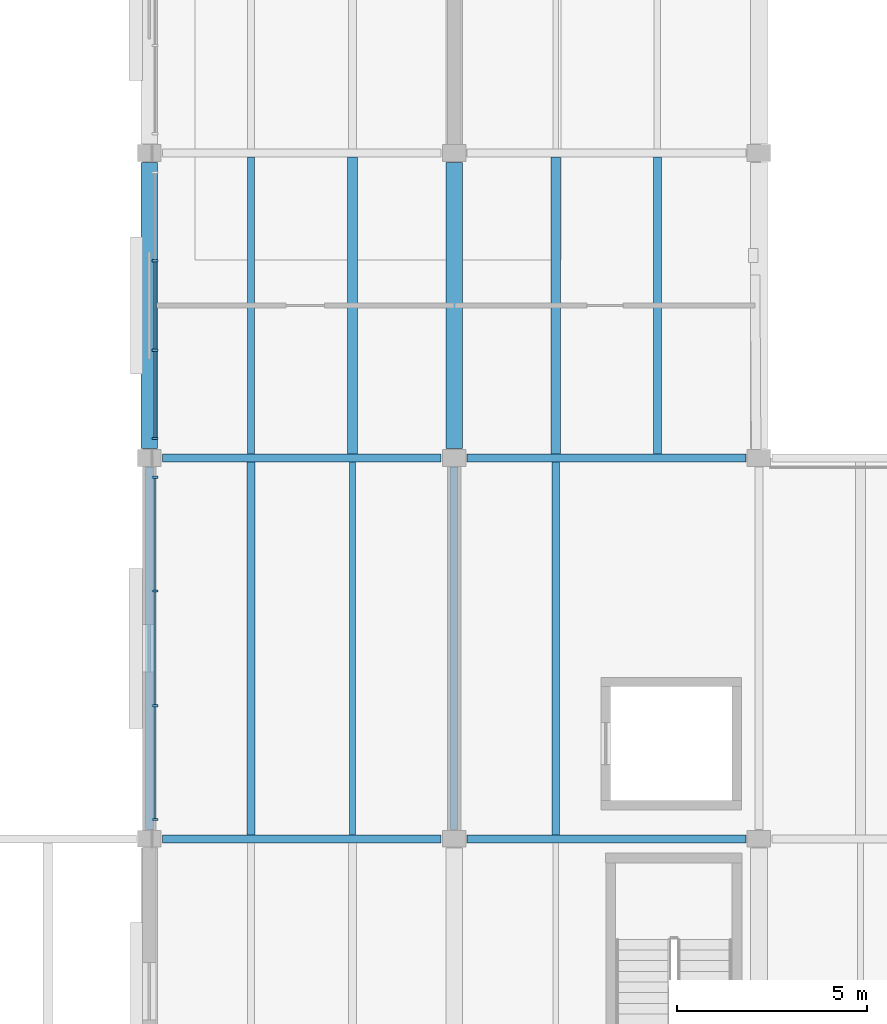
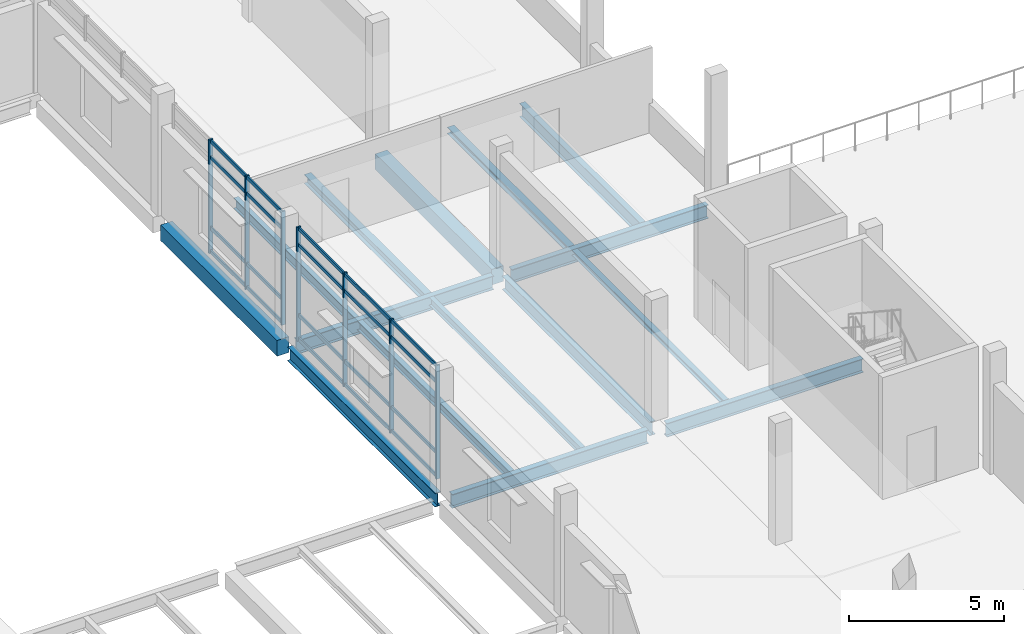
# One storey, part 6 of 52: 27 members, 15 beams, 2 elements without a shape of their own.
"""IFC4 building model written with IfcOpenShell, lengths in metres."""

import ifcopenshell
import ifcopenshell.guid

model = None  # the IFC model being written
_history = None  # IfcOwnerHistory: only IFC2X3 demands one
_inside = {}  # id of a spatial element -> (the spatial element, [elements in it])
_under = {}  # id of a project, library or spatial element -> (it, [spatial elements below it])
_declared = {}  # id of a project -> (the project, [libraries it declares])
_typed = {}  # id of a type object -> (the type object, [elements of that type])
_made_of = {}  # id of a material, layer set ... -> (it, [elements and type objects made of it])


def new_model(schema):
    """Start an empty IFC model of exactly this schema.

    Asked for "IFC4X3", IfcOpenShell would pick the latest addendum, in which some entities
    have other attributes; the version numbers below select the first issue.
    IFC2X3 requires an IfcOwnerHistory on every rooted entity: one is made here for all.
    """
    global model, _history
    if schema == "IFC4X3":
        model = ifcopenshell.file(schema_version=(4, 3, 0, 0))
    else:
        model = ifcopenshell.file(schema=schema)
    _inside.clear()
    _under.clear()
    _declared.clear()
    _typed.clear()
    _made_of.clear()
    _history = None
    if model.schema == "IFC2X3":
        org = make("IfcOrganization", Name="unknown")
        user = make(
            "IfcPersonAndOrganization",
            ThePerson=make("IfcPerson", FamilyName="unknown"),
            TheOrganization=org,
        )
        app = make(
            "IfcApplication",
            ApplicationDeveloper=org,
            Version="unknown",
            ApplicationFullName="unknown",
            ApplicationIdentifier="unknown",
        )
        _history = make(
            "IfcOwnerHistory",
            OwningUser=user,
            OwningApplication=app,
            ChangeAction="ADDED",
            CreationDate=0,
        )
    return model


def make(cls, **values):
    """One entity of the class cls with the attributes given. An attribute that is None is left unset."""
    return model.create_entity(
        cls, **{name: value for name, value in values.items() if value is not None}
    )


def rooted(cls, **values):
    """An entity with a GlobalId (a new one), such as an element, a storey or a relation."""
    return make(cls, GlobalId=ifcopenshell.guid.new(), OwnerHistory=_history, **values)


def si_unit(unit_type, name, prefix=None):
    """IfcSIUnit, for example si_unit("LENGTHUNIT", "METRE", prefix="MILLI")."""
    return make("IfcSIUnit", UnitType=unit_type, Prefix=prefix, Name=name)


def assignment(units):
    """IfcUnitAssignment: the units of a project."""
    return None if units is None else make("IfcUnitAssignment", Units=units)


def point(xyz):
    """IfcCartesianPoint."""
    return None if xyz is None else make("IfcCartesianPoint", Coordinates=xyz)


def direction(xyz):
    """IfcDirection."""
    return None if xyz is None else make("IfcDirection", DirectionRatios=xyz)


def frame(location, z_axis=None, x_axis=None):
    """IfcAxis2Placement3D, a coordinate frame: its origin and axes. An axis left out is left unset."""
    return make(
        "IfcAxis2Placement3D",
        Location=point(location),
        Axis=direction(z_axis),
        RefDirection=direction(x_axis),
    )


def frame_2d(location, x_axis=None):
    """IfcAxis2Placement2D, a coordinate frame in the plane: its origin and x axis."""
    return make(
        "IfcAxis2Placement2D", Location=point(location), RefDirection=direction(x_axis)
    )


def origin():
    """The frame at (0, 0, 0) with its axes left unset."""
    return frame((0.0, 0.0, 0.0))


def origin_2d():
    """The frame at (0, 0) in the plane with its x axis left unset."""
    return frame_2d((0.0, 0.0))


def place(relative_to, where):
    """IfcLocalPlacement: puts the frame where relative to a parent placement (None: the world)."""
    return make(
        "IfcLocalPlacement", PlacementRelTo=relative_to, RelativePlacement=where
    )


def context(
    kind, dimensions, precision=None, world=None, true_north=None, identifier=None
):
    """IfcGeometricRepresentationContext, for example the 3D "Model" context."""
    return make(
        "IfcGeometricRepresentationContext",
        ContextIdentifier=identifier,
        ContextType=kind,
        CoordinateSpaceDimension=dimensions,
        Precision=precision,
        WorldCoordinateSystem=world,
        TrueNorth=true_north,
    )


def subcontext(parent, identifier, kind, view, scale=None):
    """IfcGeometricRepresentationSubContext, for example "Body" below "Model"."""
    return make(
        "IfcGeometricRepresentationSubContext",
        ContextIdentifier=identifier,
        ContextType=kind,
        ParentContext=parent,
        TargetScale=scale,
        TargetView=view,
    )


def project(units=None, contexts=None):
    """IfcProject with its units and contexts."""
    return rooted(
        "IfcProject",
        Name="project",
        RepresentationContexts=contexts,
        UnitsInContext=assignment(units),
    )


def spatial(cls, under=None, at=None, **own):
    """A site, building, storey or space (cls), placed at a placement, below another one or the project."""
    s = rooted(cls, ObjectPlacement=at, **own)
    if under is not None:
        _under.setdefault(under.id(), (under, []))[1].append(s)
    return s


def profile(cls, at=None, kind="AREA", **sizes):
    """A parametric profile (cls). Its sizes go by their IFC names, for example OverallWidth=200.0."""
    return make(cls, ProfileType=kind, Position=at, **sizes)


def rectangle(**sizes):
    """IfcRectangleProfileDef."""
    return profile("IfcRectangleProfileDef", **sizes)


def i_section(**sizes):
    """IfcIShapeProfileDef."""
    return profile("IfcIShapeProfileDef", **sizes)


def extrude(swept, where, along, depth):
    """IfcExtrudedAreaSolid: the profile swept, set in the frame where, extruded along a direction by depth."""
    return make(
        "IfcExtrudedAreaSolid",
        SweptArea=swept,
        Position=where,
        ExtrudedDirection=direction(along),
        Depth=depth,
    )


def shape(context_of_items, identifier, shape_type, items):
    """IfcShapeRepresentation: the items that make up one representation, for example the "Body"."""
    return make(
        "IfcShapeRepresentation",
        ContextOfItems=context_of_items,
        RepresentationIdentifier=identifier,
        RepresentationType=shape_type,
        Items=items,
    )


def material(Name=None, Category=None):
    """IfcMaterial."""
    return make("IfcMaterial", Name=Name, Category=Category)


def material_profile(
    of_material, cross_section, Name=None, Category=None, Priority=None
):
    """IfcMaterialProfile: a cross section and its material."""
    return make(
        "IfcMaterialProfile",
        Name=Name,
        Material=of_material,
        Profile=cross_section,
        Priority=Priority,
        Category=Category,
    )


def profile_set(profiles, Name=None, composite=None):
    """IfcMaterialProfileSet."""
    return make(
        "IfcMaterialProfileSet",
        Name=Name,
        MaterialProfiles=profiles,
        CompositeProfile=composite,
    )


def made_of(thing, what):
    """Note that an element or type object is made of a material, layer set ...; save() writes the relation."""
    if what is not None:
        _made_of.setdefault(what.id(), (what, []))[1].append(thing)
    return thing


def type_object(cls, material=None, **own):
    """A type object (cls), such as IfcWallType, which elements share."""
    return made_of(rooted(cls, **own), material)


def element(
    cls,
    number,
    at=None,
    inside=None,
    cuts=None,
    type_object=None,
    material=None,
    context=None,
    identifier="Body",
    shape_type=None,
    held_by="IfcProductDefinitionShape",
    body=None,
    shapes=None,
    **own,
):
    """One element of the class cls, such as IfcWall. Its Tag is "e" and its number.

    at: its placement. inside: the storey or other place that contains it. cuts: it is an
    opening in that element (IfcRelVoidsElement). A single representation is given by context,
    identifier, shape_type and body (its items); several are given by shapes. held_by: the class
    of the entity that holds the representations. save() writes the other relations.
    """
    e = rooted(cls, Tag="e%d" % number, ObjectPlacement=at, **own)
    if body is not None:
        shapes = [shape(context, identifier, shape_type, body)]
    if shapes is not None:
        e.Representation = make(held_by, Representations=shapes)
    if inside is not None:
        _inside.setdefault(inside.id(), (inside, []))[1].append(e)
    if cuts is not None:
        rooted(
            "IfcRelVoidsElement", RelatingBuildingElement=cuts, RelatedOpeningElement=e
        )
    if type_object is not None:
        _typed.setdefault(type_object.id(), (type_object, []))[1].append(e)
    return made_of(e, material)


def aggregate(whole, parts):
    """IfcRelAggregates: a whole, such as a stair, and the parts it consists of."""
    return rooted("IfcRelAggregates", RelatingObject=whole, RelatedObjects=parts)


def save(model, path):
    """Write the relations noted so far, then the file.

    IfcRelAggregates (storeys below a building ...), IfcRelContainedInSpatialStructure (elements
    in a storey), IfcRelDefinesByType, IfcRelAssociatesMaterial and IfcRelDeclares: one each for
    every whole, place, type object, material and project.
    """
    for whole, parts in _under.values():
        aggregate(whole, parts)
    for where, things in _inside.values():
        rooted(
            "IfcRelContainedInSpatialStructure",
            RelatedElements=things,
            RelatingStructure=where,
        )
    for kind, things in _typed.values():
        rooted("IfcRelDefinesByType", RelatedObjects=things, RelatingType=kind)
    for what, things in _made_of.values():
        rooted("IfcRelAssociatesMaterial", RelatedObjects=things, RelatingMaterial=what)
    for by, libraries in _declared.values():
        rooted("IfcRelDeclares", RelatingContext=by, RelatedDefinitions=libraries)
    model.write(path)


model = new_model("IFC4")

# Units and contexts
model_context = context("Model", 3, precision=1e-05, world=origin(), true_north=direction((0.0, 1.0)))
body_context = subcontext(model_context, "Body", "Model", "MODEL_VIEW")
ifc_project = project(units=[si_unit("LENGTHUNIT", "METRE"), si_unit("AREAUNIT", "SQUARE_METRE"), si_unit("VOLUMEUNIT", "CUBIC_METRE"), si_unit("PLANEANGLEUNIT", "RADIAN"), si_unit("MASSUNIT", "GRAM", prefix="KILO")], contexts=[model_context])

# Site, building, storey
site_placement = place(None, origin())
site = spatial("IfcSite", under=ifc_project, at=site_placement, CompositionType="ELEMENT")
building_placement = place(site_placement, origin())
building = spatial("IfcBuilding", under=site, at=building_placement, Name="Pecanmere Concourse Central Library", CompositionType="ELEMENT")
storey_placement = place(building_placement, frame((0.0, 0.0, 10.5)))
storey = spatial("IfcBuildingStorey", under=building, at=storey_placement, Name="L03", CompositionType="ELEMENT", Elevation=10.5)

# Curtain wall, members
ifc_material_1 = material(Name="Clear anodized aluminium alloy 6063-T6", Category="aluminium")
curtain_wall_type = type_object("IfcCurtainWallType", Name="CW_CLOISTER_GLAZ", PredefinedType="USERDEFINED", material=ifc_material_1)
curtain_wall_1_placement = place(storey_placement, origin())
curtain_wall_1 = element("IfcCurtainWall", 1, at=curtain_wall_1_placement, inside=storey, type_object=curtain_wall_type, Name="Unitised Curtain Wall CW-04 L03-130", ObjectType="UNITISED CURTAIN WALL", PredefinedType="USERDEFINED")
ifc_material_2 = material(Name="Clear anodized aluminium alloy 6063-T6", Category="aluminium")
ifc_material_profile_1 = material_profile(ifc_material_2, rectangle(XDim=0.06005859375, YDim=0.14990234375, at=origin_2d()), Name="AL 60x150")
ifc_profile_set_1 = profile_set([ifc_material_profile_1], Name="Clear anodized aluminium alloy 6063-T6")
member_type_1 = type_object("IfcMemberType", Name="CWM_150x60", PredefinedType="MULLION", material=ifc_profile_set_1)
member_1_placement = place(storey_placement, frame((48.14990234375, 73.489990234375, 0.0), z_axis=(0.0, 0.0, 1.0), x_axis=(0.0, -1.0, 0.0)))
member_1 = element("IfcMember", 2, at=member_1_placement, type_object=member_type_1, Name="CW-04 Mullion 1", PredefinedType="MULLION", context=body_context, shape_type="SweptSolid", body=[
    extrude(rectangle(XDim=0.06005859375, YDim=0.14990234375, at=origin_2d()), origin(), (0.0, 0.0, 1.0), 4.47998046875),
])
member_2_placement = place(storey_placement, frame((48.14990234375, 70.506591796875, 0.0), z_axis=(0.0, 0.0, 1.0), x_axis=(0.0, -1.0, 0.0)))
member_2 = element("IfcMember", 3, at=member_2_placement, type_object=member_type_1, Name="CW-04 Mullion 2", PredefinedType="MULLION", context=body_context, shape_type="SweptSolid", body=[
    extrude(rectangle(XDim=0.06005859375, YDim=0.14990234375, at=origin_2d()), origin(), (0.0, 0.0, 1.0), 4.47998046875),
])
member_3_placement = place(storey_placement, frame((48.14990234375, 67.493408203125, 0.0), z_axis=(0.0, 0.0, 1.0), x_axis=(0.0, -1.0, 0.0)))
member_3 = element("IfcMember", 4, at=member_3_placement, type_object=member_type_1, Name="CW-04 Mullion 3", PredefinedType="MULLION", context=body_context, shape_type="SweptSolid", body=[
    extrude(rectangle(XDim=0.06005859375, YDim=0.14990234375, at=origin_2d()), origin(), (0.0, 0.0, 1.0), 4.47998046875),
])
member_4_placement = place(storey_placement, frame((48.14990234375, 64.510009765625, 0.0), z_axis=(0.0, 0.0, 1.0), x_axis=(0.0, -1.0, 0.0)))
member_4 = element("IfcMember", 5, at=member_4_placement, type_object=member_type_1, Name="CW-04 Mullion 4", PredefinedType="MULLION", context=body_context, shape_type="SweptSolid", body=[
    extrude(rectangle(XDim=0.06005859375, YDim=0.14990234375, at=origin_2d()), origin(), (0.0, 0.0, 1.0), 4.47998046875),
])

curtain_wall_2_placement = place(storey_placement, origin())
curtain_wall_2 = element("IfcCurtainWall", 6, at=curtain_wall_2_placement, inside=storey, type_object=curtain_wall_type, Name="Unitised Curtain Wall CW-04 L03-132", ObjectType="UNITISED CURTAIN WALL", PredefinedType="USERDEFINED")
member_5_placement = place(storey_placement, frame((48.14990234375, 79.17333984375, 0.0), z_axis=(0.0, 0.0, 1.0), x_axis=(0.0, -1.0, 0.0)))
member_5 = element("IfcMember", 7, at=member_5_placement, type_object=member_type_1, Name="CW-04 Mullion 2", PredefinedType="MULLION", context=body_context, shape_type="SweptSolid", body=[
    extrude(rectangle(XDim=0.06005859375, YDim=0.14990234375, at=origin_2d()), origin(), (0.0, 0.0, 1.0), 4.47998046875),
])
member_6_placement = place(storey_placement, frame((48.14990234375, 76.82666015625, 0.0), z_axis=(0.0, 0.0, 1.0), x_axis=(0.0, -1.0, 0.0)))
member_6 = element("IfcMember", 8, at=member_6_placement, type_object=member_type_1, Name="CW-04 Mullion 3", PredefinedType="MULLION", context=body_context, shape_type="SweptSolid", body=[
    extrude(rectangle(XDim=0.06005859375, YDim=0.14990234375, at=origin_2d()), origin(), (0.0, 0.0, 1.0), 4.47998046875),
])
member_7_placement = place(storey_placement, frame((48.14990234375, 74.510009765625, 0.0), z_axis=(0.0, 0.0, 1.0), x_axis=(0.0, -1.0, 0.0)))
member_7 = element("IfcMember", 9, at=member_7_placement, type_object=member_type_1, Name="CW-04 Mullion 4", PredefinedType="MULLION", context=body_context, shape_type="SweptSolid", body=[
    extrude(rectangle(XDim=0.06005859375, YDim=0.14990234375, at=origin_2d()), origin(), (0.0, 0.0, 1.0), 4.47998046875),
])

# Member
ifc_material_3 = material(Name="Clear anodized aluminium alloy 6063-T6", Category="aluminium")
ifc_material_profile_2 = material_profile(ifc_material_3, rectangle(XDim=0.054931640625, YDim=0.139892578125, at=origin_2d()), Name="AL 55x140")
ifc_profile_set_2 = profile_set([ifc_material_profile_2], Name="Clear anodized aluminium alloy 6063-T6")
member_type_2 = type_object("IfcMemberType", Name="CWT_140x55", PredefinedType="USERDEFINED", material=ifc_profile_set_2)
member_8_placement = place(storey_placement, frame((48.14990234375, 73.4599609375, 0.070068359375), z_axis=(0.0, -1.0, 0.0), x_axis=(1.0, 0.0, 0.0)))
member_8 = element("IfcMember", 10, at=member_8_placement, type_object=member_type_2, Name="CW-04 Transom 1.1", ObjectType="TRANSOM", PredefinedType="USERDEFINED", context=body_context, shape_type="SweptSolid", body=[
    extrude(rectangle(XDim=0.054931640625, YDim=0.139892578125, at=origin_2d()), origin(), (0.0, 0.0, 1.0), 2.92333984375),
])

member_9_placement = place(storey_placement, frame((48.14990234375, 73.4599609375, 1.0), z_axis=(0.0, -1.0, 0.0), x_axis=(1.0, 0.0, 0.0)))
member_9 = element("IfcMember", 11, at=member_9_placement, type_object=member_type_2, Name="CW-04 Transom 1.2", ObjectType="TRANSOM", PredefinedType="USERDEFINED", context=body_context, shape_type="SweptSolid", body=[
    extrude(rectangle(XDim=0.054931640625, YDim=0.139892578125, at=origin_2d()), origin(), (0.0, 0.0, 1.0), 2.92333984375),
])

member_10_placement = place(storey_placement, frame((48.14990234375, 73.4599609375, 3.780029296875), z_axis=(0.0, -1.0, 0.0), x_axis=(1.0, 0.0, 0.0)))
member_10 = element("IfcMember", 12, at=member_10_placement, type_object=member_type_2, Name="CW-04 Transom 1.3", ObjectType="TRANSOM", PredefinedType="USERDEFINED", context=body_context, shape_type="SweptSolid", body=[
    extrude(rectangle(XDim=0.054931640625, YDim=0.139892578125, at=origin_2d()), origin(), (0.0, 0.0, 1.0), 2.92333984375),
])

member_11_placement = place(storey_placement, frame((48.14990234375, 73.4599609375, 4.409912109375), z_axis=(0.0, -1.0, 0.0), x_axis=(1.0, 0.0, 0.0)))
member_11 = element("IfcMember", 13, at=member_11_placement, type_object=member_type_2, Name="CW-04 Transom 1.4", ObjectType="TRANSOM", PredefinedType="USERDEFINED", context=body_context, shape_type="SweptSolid", body=[
    extrude(rectangle(XDim=0.054931640625, YDim=0.139892578125, at=origin_2d()), origin(), (0.0, 0.0, 1.0), 2.92333984375),
])

member_12_placement = place(storey_placement, frame((48.14990234375, 70.4765625, 0.070068359375), z_axis=(0.0, -1.0, 0.0), x_axis=(1.0, 0.0, 0.0)))
member_12 = element("IfcMember", 14, at=member_12_placement, type_object=member_type_2, Name="CW-04 Transom 2.1", ObjectType="TRANSOM", PredefinedType="USERDEFINED", context=body_context, shape_type="SweptSolid", body=[
    extrude(rectangle(XDim=0.054931640625, YDim=0.139892578125, at=origin_2d()), origin(), (0.0, 0.0, 1.0), 2.953125),
])

member_13_placement = place(storey_placement, frame((48.14990234375, 70.4765625, 1.0), z_axis=(0.0, -1.0, 0.0), x_axis=(1.0, 0.0, 0.0)))
member_13 = element("IfcMember", 15, at=member_13_placement, type_object=member_type_2, Name="CW-04 Transom 2.2", ObjectType="TRANSOM", PredefinedType="USERDEFINED", context=body_context, shape_type="SweptSolid", body=[
    extrude(rectangle(XDim=0.054931640625, YDim=0.139892578125, at=origin_2d()), origin(), (0.0, 0.0, 1.0), 2.953125),
])

member_14_placement = place(storey_placement, frame((48.14990234375, 70.4765625, 3.780029296875), z_axis=(0.0, -1.0, 0.0), x_axis=(1.0, 0.0, 0.0)))
member_14 = element("IfcMember", 16, at=member_14_placement, type_object=member_type_2, Name="CW-04 Transom 2.3", ObjectType="TRANSOM", PredefinedType="USERDEFINED", context=body_context, shape_type="SweptSolid", body=[
    extrude(rectangle(XDim=0.054931640625, YDim=0.139892578125, at=origin_2d()), origin(), (0.0, 0.0, 1.0), 2.953125),
])

member_15_placement = place(storey_placement, frame((48.14990234375, 70.4765625, 4.409912109375), z_axis=(0.0, -1.0, 0.0), x_axis=(1.0, 0.0, 0.0)))
member_15 = element("IfcMember", 17, at=member_15_placement, type_object=member_type_2, Name="CW-04 Transom 2.4", ObjectType="TRANSOM", PredefinedType="USERDEFINED", context=body_context, shape_type="SweptSolid", body=[
    extrude(rectangle(XDim=0.054931640625, YDim=0.139892578125, at=origin_2d()), origin(), (0.0, 0.0, 1.0), 2.953125),
])

member_16_placement = place(storey_placement, frame((48.14990234375, 67.46337890625, 0.070068359375), z_axis=(0.0, -1.0, 0.0), x_axis=(1.0, 0.0, 0.0)))
member_16 = element("IfcMember", 18, at=member_16_placement, type_object=member_type_2, Name="CW-04 Transom 3.1", ObjectType="TRANSOM", PredefinedType="USERDEFINED", context=body_context, shape_type="SweptSolid", body=[
    extrude(rectangle(XDim=0.054931640625, YDim=0.139892578125, at=origin_2d()), origin(), (0.0, 0.0, 1.0), 2.92333984375),
])

member_17_placement = place(storey_placement, frame((48.14990234375, 67.46337890625, 1.0), z_axis=(0.0, -1.0, 0.0), x_axis=(1.0, 0.0, 0.0)))
member_17 = element("IfcMember", 19, at=member_17_placement, type_object=member_type_2, Name="CW-04 Transom 3.2", ObjectType="TRANSOM", PredefinedType="USERDEFINED", context=body_context, shape_type="SweptSolid", body=[
    extrude(rectangle(XDim=0.054931640625, YDim=0.139892578125, at=origin_2d()), origin(), (0.0, 0.0, 1.0), 2.92333984375),
])

member_18_placement = place(storey_placement, frame((48.14990234375, 67.46337890625, 3.780029296875), z_axis=(0.0, -1.0, 0.0), x_axis=(1.0, 0.0, 0.0)))
member_18 = element("IfcMember", 20, at=member_18_placement, type_object=member_type_2, Name="CW-04 Transom 3.3", ObjectType="TRANSOM", PredefinedType="USERDEFINED", context=body_context, shape_type="SweptSolid", body=[
    extrude(rectangle(XDim=0.054931640625, YDim=0.139892578125, at=origin_2d()), origin(), (0.0, 0.0, 1.0), 2.92333984375),
])

member_19_placement = place(storey_placement, frame((48.14990234375, 67.46337890625, 4.409912109375), z_axis=(0.0, -1.0, 0.0), x_axis=(1.0, 0.0, 0.0)))
member_19 = element("IfcMember", 21, at=member_19_placement, type_object=member_type_2, Name="CW-04 Transom 3.4", ObjectType="TRANSOM", PredefinedType="USERDEFINED", context=body_context, shape_type="SweptSolid", body=[
    extrude(rectangle(XDim=0.054931640625, YDim=0.139892578125, at=origin_2d()), origin(), (0.0, 0.0, 1.0), 2.92333984375),
])

aggregate(curtain_wall_1, [member_1, member_2, member_3, member_4, member_8, member_9, member_10, member_11, member_12, member_13, member_14, member_15, member_16, member_17, member_18, member_19])

member_20_placement = place(storey_placement, frame((48.14990234375, 79.143310546875, 0.070068359375), z_axis=(0.0, -1.0, 0.0), x_axis=(1.0, 0.0, 0.0)))
member_20 = element("IfcMember", 22, at=member_20_placement, type_object=member_type_2, Name="CW-04 Transom 2.1", ObjectType="TRANSOM", PredefinedType="USERDEFINED", context=body_context, shape_type="SweptSolid", body=[
    extrude(rectangle(XDim=0.054931640625, YDim=0.139892578125, at=origin_2d()), origin(), (0.0, 0.0, 1.0), 2.28662109375),
])

member_21_placement = place(storey_placement, frame((48.14990234375, 79.143310546875, 1.0), z_axis=(0.0, -1.0, 0.0), x_axis=(1.0, 0.0, 0.0)))
member_21 = element("IfcMember", 23, at=member_21_placement, type_object=member_type_2, Name="CW-04 Transom 2.2", ObjectType="TRANSOM", PredefinedType="USERDEFINED", context=body_context, shape_type="SweptSolid", body=[
    extrude(rectangle(XDim=0.054931640625, YDim=0.139892578125, at=origin_2d()), origin(), (0.0, 0.0, 1.0), 2.28662109375),
])

member_22_placement = place(storey_placement, frame((48.14990234375, 79.143310546875, 3.780029296875), z_axis=(0.0, -1.0, 0.0), x_axis=(1.0, 0.0, 0.0)))
member_22 = element("IfcMember", 24, at=member_22_placement, type_object=member_type_2, Name="CW-04 Transom 2.3", ObjectType="TRANSOM", PredefinedType="USERDEFINED", context=body_context, shape_type="SweptSolid", body=[
    extrude(rectangle(XDim=0.054931640625, YDim=0.139892578125, at=origin_2d()), origin(), (0.0, 0.0, 1.0), 2.28662109375),
])

member_23_placement = place(storey_placement, frame((48.14990234375, 79.143310546875, 4.409912109375), z_axis=(0.0, -1.0, 0.0), x_axis=(1.0, 0.0, 0.0)))
member_23 = element("IfcMember", 25, at=member_23_placement, type_object=member_type_2, Name="CW-04 Transom 2.4", ObjectType="TRANSOM", PredefinedType="USERDEFINED", context=body_context, shape_type="SweptSolid", body=[
    extrude(rectangle(XDim=0.054931640625, YDim=0.139892578125, at=origin_2d()), origin(), (0.0, 0.0, 1.0), 2.28662109375),
])

member_24_placement = place(storey_placement, frame((48.14990234375, 76.796630859375, 0.070068359375), z_axis=(0.0, -1.0, 0.0), x_axis=(1.0, 0.0, 0.0)))
member_24 = element("IfcMember", 26, at=member_24_placement, type_object=member_type_2, Name="CW-04 Transom 3.1", ObjectType="TRANSOM", PredefinedType="USERDEFINED", context=body_context, shape_type="SweptSolid", body=[
    extrude(rectangle(XDim=0.054931640625, YDim=0.139892578125, at=origin_2d()), origin(), (0.0, 0.0, 1.0), 2.256591796875),
])

member_25_placement = place(storey_placement, frame((48.14990234375, 76.796630859375, 1.0), z_axis=(0.0, -1.0, 0.0), x_axis=(1.0, 0.0, 0.0)))
member_25 = element("IfcMember", 27, at=member_25_placement, type_object=member_type_2, Name="CW-04 Transom 3.2", ObjectType="TRANSOM", PredefinedType="USERDEFINED", context=body_context, shape_type="SweptSolid", body=[
    extrude(rectangle(XDim=0.054931640625, YDim=0.139892578125, at=origin_2d()), origin(), (0.0, 0.0, 1.0), 2.256591796875),
])

member_26_placement = place(storey_placement, frame((48.14990234375, 76.796630859375, 3.780029296875), z_axis=(0.0, -1.0, 0.0), x_axis=(1.0, 0.0, 0.0)))
member_26 = element("IfcMember", 28, at=member_26_placement, type_object=member_type_2, Name="CW-04 Transom 3.3", ObjectType="TRANSOM", PredefinedType="USERDEFINED", context=body_context, shape_type="SweptSolid", body=[
    extrude(rectangle(XDim=0.054931640625, YDim=0.139892578125, at=origin_2d()), origin(), (0.0, 0.0, 1.0), 2.256591796875),
])

member_27_placement = place(storey_placement, frame((48.14990234375, 76.796630859375, 4.409912109375), z_axis=(0.0, -1.0, 0.0), x_axis=(1.0, 0.0, 0.0)))
member_27 = element("IfcMember", 29, at=member_27_placement, type_object=member_type_2, Name="CW-04 Transom 3.4", ObjectType="TRANSOM", PredefinedType="USERDEFINED", context=body_context, shape_type="SweptSolid", body=[
    extrude(rectangle(XDim=0.054931640625, YDim=0.139892578125, at=origin_2d()), origin(), (0.0, 0.0, 1.0), 2.256591796875),
])

aggregate(curtain_wall_2, [member_5, member_6, member_7, member_20, member_21, member_22, member_23, member_24, member_25, member_26, member_27])

# Beams
ifc_material_4 = material(Name="Concrete C40/50", Category="concrete")
ifc_material_profile_3 = material_profile(ifc_material_4, rectangle(XDim=0.43994140625, YDim=0.6201171875, at=origin_2d()), Name="RC 440x620")
ifc_profile_set_3 = profile_set([ifc_material_profile_3], Name="Concrete C40/50")
beam_type_1 = type_object("IfcBeamType", Name="GRD_440x620", PredefinedType="USERDEFINED", material=ifc_profile_set_3)
for number, where, z_axis, x_axis, name in (
    (30, (48.0, 74.239990234375, -0.64990234375), (0.0, 1.0, 0.0), (-1.0, 0.0, 0.0), "Primary Girder Y L03-1704"),
    (31, (56.0, 74.239990234375, -0.64990234375), (0.0, 1.0, 0.0), (-1.0, 0.0, 0.0), "Primary Girder Y L03-1711"),
):
    element("IfcBeam", number, at=place(storey_placement, frame(where, z_axis=z_axis, x_axis=x_axis)), inside=storey, type_object=beam_type_1, Name=name, ObjectType="GIRDER", PredefinedType="USERDEFINED", context=body_context, shape_type="SweptSolid", body=[
        extrude(rectangle(XDim=0.43994140625, YDim=0.6201171875, at=origin_2d()), origin(), (0.0, 0.0, 1.0), 7.52001953125),
    ])
ifc_material_5 = material(Name="Structural steel ASTM A992 Grade 50", Category="steel")
ifc_material_profile_4 = material_profile(ifc_material_5, i_section(OverallWidth=0.2041015625, OverallDepth=0.2060546875, WebThickness=0.0078125, FlangeThickness=0.0126953125, at=origin_2d()), Name="W200x52")
ifc_profile_set_4 = profile_set([ifc_material_profile_4], Name="Structural steel ASTM A992 Grade 50")
beam_type_2 = type_object("IfcBeamType", Name="SBM_W200x52", PredefinedType="JOIST", material=ifc_profile_set_4)
beam_1_placement = place(storey_placement, frame((58.666748046875, 64.10546875, -0.443115234375), z_axis=(0.0, 1.0, 0.0), x_axis=(-1.0, 0.0, 0.0)))
element("IfcBeam", 32, at=beam_1_placement, inside=storey, type_object=beam_type_2, Name="Secondary Floor Joist L03-1923", PredefinedType="JOIST", context=body_context, shape_type="SweptSolid", body=[
    extrude(i_section(OverallWidth=0.2041015625, OverallDepth=0.2060546875, WebThickness=0.0078125, FlangeThickness=0.0126953125, at=origin_2d()), origin(), (0.0, 0.0, 1.0), 9.7890625),
])
ifc_material_6 = material(Name="Structural steel ASTM A992 Grade 50", Category="steel")
ifc_material_profile_5 = material_profile(ifc_material_6, i_section(OverallWidth=0.25390625, OverallDepth=0.2529296875, WebThickness=0.008544921875, FlangeThickness=0.01416015625, at=origin_2d()), Name="W250x73")
ifc_profile_set_5 = profile_set([ifc_material_profile_5], Name="Structural steel ASTM A992 Grade 50")
beam_type_3 = type_object("IfcBeamType", Name="SBM_W250x73", PredefinedType="BEAM", material=ifc_profile_set_5)
beam_2_placement = place(storey_placement, frame((58.666748046875, 74.10546875, -0.466552734375), z_axis=(0.0, 1.0, 0.0), x_axis=(-1.0, 0.0, 0.0)))
element("IfcBeam", 33, at=beam_2_placement, inside=storey, type_object=beam_type_3, Name="Secondary Floor Joist L03-1924", PredefinedType="BEAM", context=body_context, shape_type="SweptSolid", body=[
    extrude(i_section(OverallWidth=0.25390625, OverallDepth=0.2529296875, WebThickness=0.008544921875, FlangeThickness=0.01416015625, at=origin_2d()), origin(), (0.0, 0.0, 1.0), 7.7890625),
])
ifc_material_7 = material(Name="Structural steel ASTM A992 Grade 50", Category="steel")
ifc_material_profile_6 = material_profile(ifc_material_7, i_section(OverallWidth=0.1669921875, OverallDepth=0.31689453125, WebThickness=0.007568359375, FlangeThickness=0.01318359375, at=origin_2d()), Name="W310x52")
ifc_profile_set_6 = profile_set([ifc_material_profile_6], Name="Structural steel ASTM A992 Grade 50")
beam_type_4 = type_object("IfcBeamType", Name="SBM_W310x52", PredefinedType="JOIST", material=ifc_profile_set_6)
beam_3_placement = place(storey_placement, frame((53.333251953125, 64.10546875, -0.49853515625), z_axis=(0.0, 1.0, 0.0), x_axis=(-1.0, 0.0, 0.0)))
element("IfcBeam", 34, at=beam_3_placement, inside=storey, type_object=beam_type_4, Name="Secondary Floor Joist L03-1911", PredefinedType="JOIST", context=body_context, shape_type="SweptSolid", body=[
    extrude(i_section(OverallWidth=0.1669921875, OverallDepth=0.31689453125, WebThickness=0.007568359375, FlangeThickness=0.01318359375, at=origin_2d()), origin(), (0.0, 0.0, 1.0), 9.7890625),
])
ifc_material_8 = material(Name="Structural steel ASTM A992 Grade 50", Category="steel")
ifc_material_profile_7 = material_profile(ifc_material_8, i_section(OverallWidth=0.202880859375, OverallDepth=0.346923828125, WebThickness=0.0078125, FlangeThickness=0.013427734375, at=origin_2d()), Name="W360x64")
ifc_profile_set_7 = profile_set([ifc_material_profile_7], Name="Structural steel ASTM A992 Grade 50")
beam_type_5 = type_object("IfcBeamType", Name="SBM_W360x64", PredefinedType="JOIST", material=ifc_profile_set_7)
beam_4_placement = place(storey_placement, frame((50.666748046875, 64.10546875, -0.513427734375), z_axis=(0.0, 1.0, 0.0), x_axis=(-1.0, 0.0, 0.0)))
element("IfcBeam", 35, at=beam_4_placement, inside=storey, type_object=beam_type_5, Name="Secondary Floor Joist L03-1910", PredefinedType="JOIST", context=body_context, shape_type="SweptSolid", body=[
    extrude(i_section(OverallWidth=0.202880859375, OverallDepth=0.346923828125, WebThickness=0.0078125, FlangeThickness=0.013427734375, at=origin_2d()), origin(), (0.0, 0.0, 1.0), 9.7890625),
])
ifc_material_9 = material(Name="Structural steel ASTM A992 Grade 50", Category="steel")
ifc_material_profile_8 = material_profile(ifc_material_9, i_section(OverallWidth=0.25390625, OverallDepth=0.35302734375, WebThickness=0.009521484375, FlangeThickness=0.016357421875, at=origin_2d()), Name="W360x91")
ifc_profile_set_8 = profile_set([ifc_material_profile_8], Name="Structural steel ASTM A992 Grade 50")
beam_type_6 = type_object("IfcBeamType", Name="SBM_W360x91", PredefinedType="BEAM", material=ifc_profile_set_8)
beam_5_placement = place(storey_placement, frame((53.333251953125, 74.10546875, -0.5166015625), z_axis=(0.0, 1.0, 0.0), x_axis=(-1.0, 0.0, 0.0)))
element("IfcBeam", 36, at=beam_5_placement, inside=storey, type_object=beam_type_6, Name="Secondary Floor Joist L03-1913", PredefinedType="BEAM", context=body_context, shape_type="SweptSolid", body=[
    extrude(i_section(OverallWidth=0.25390625, OverallDepth=0.35302734375, WebThickness=0.009521484375, FlangeThickness=0.016357421875, at=origin_2d()), origin(), (0.0, 0.0, 1.0), 7.7890625),
])
ifc_material_10 = material(Name="Structural steel ASTM A992 Grade 50", Category="steel")
ifc_material_profile_9 = material_profile(ifc_material_10, i_section(OverallWidth=0.180908203125, OverallDepth=0.4169921875, WebThickness=0.010986328125, FlangeThickness=0.018310546875, at=origin_2d()), Name="W410x85")
ifc_profile_set_9 = profile_set([ifc_material_profile_9], Name="Structural steel ASTM A992 Grade 50")
beam_type_7 = type_object("IfcBeamType", Name="SBM_W410x85", PredefinedType="BEAM", material=ifc_profile_set_9)
beam_6_placement = place(storey_placement, frame((50.666748046875, 74.10546875, -0.548583984375), z_axis=(0.0, 1.0, 0.0), x_axis=(-1.0, 0.0, 0.0)))
element("IfcBeam", 37, at=beam_6_placement, inside=storey, type_object=beam_type_7, Name="Secondary Floor Joist L03-1912", PredefinedType="BEAM", context=body_context, shape_type="SweptSolid", body=[
    extrude(i_section(OverallWidth=0.180908203125, OverallDepth=0.4169921875, WebThickness=0.010986328125, FlangeThickness=0.018310546875, at=origin_2d()), origin(), (0.0, 0.0, 1.0), 7.7890625),
])
ifc_material_11 = material(Name="Structural steel ASTM A992 Grade 50", Category="steel")
ifc_material_profile_10 = material_profile(ifc_material_11, i_section(OverallWidth=0.2109375, OverallDepth=0.5390625, WebThickness=0.01171875, FlangeThickness=0.018798828125, at=origin_2d()), Name="W530x109")
ifc_profile_set_10 = profile_set([ifc_material_profile_10], Name="Structural steel ASTM A992 Grade 50")
beam_type_8 = type_object("IfcBeamType", Name="SBM_W530x109", PredefinedType="USERDEFINED", material=ifc_profile_set_10)
for number, where, z_axis, x_axis, name in (
    (38, (48.340087890625, 64.0, -0.609619140625), (1.0, 0.0, 0.0), (0.0, 1.0, 0.0), "Primary Girder X L03-1575"),
    (39, (56.340087890625, 64.0, -0.609619140625), (1.0, 0.0, 0.0), (0.0, 1.0, 0.0), "Primary Girder X L03-1576"),
    (40, (48.340087890625, 74.0, -0.609619140625), (1.0, 0.0, 0.0), (0.0, 1.0, 0.0), "Primary Girder X L03-1589"),
    (41, (56.340087890625, 74.0, -0.609619140625), (1.0, 0.0, 0.0), (0.0, 1.0, 0.0), "Primary Girder X L03-1590"),
):
    element("IfcBeam", number, at=place(storey_placement, frame(where, z_axis=z_axis, x_axis=x_axis)), inside=storey, type_object=beam_type_8, Name=name, ObjectType="GIRDER", PredefinedType="USERDEFINED", context=body_context, shape_type="SweptSolid", body=[
        extrude(i_section(OverallWidth=0.2109375, OverallDepth=0.5390625, WebThickness=0.01171875, FlangeThickness=0.018798828125, at=origin_2d()), origin(), (0.0, 0.0, 1.0), 7.31982421875),
    ])
for number, where, z_axis, x_axis, name in (
    (42, (48.0, 64.239990234375, -0.609619140625), (0.0, 1.0, 0.0), (-1.0, 0.0, 0.0), "Primary Girder Y L03-1703"),
    (43, (56.0, 64.239990234375, -0.609619140625), (0.0, 1.0, 0.0), (-1.0, 0.0, 0.0), "Primary Girder Y L03-1710"),
):
    element("IfcBeam", number, at=place(storey_placement, frame(where, z_axis=z_axis, x_axis=x_axis)), inside=storey, type_object=beam_type_8, Name=name, ObjectType="GIRDER", PredefinedType="USERDEFINED", context=body_context, shape_type="SweptSolid", body=[
        extrude(i_section(OverallWidth=0.2109375, OverallDepth=0.5390625, WebThickness=0.01171875, FlangeThickness=0.018798828125, at=origin_2d()), origin(), (0.0, 0.0, 1.0), 9.52001953125),
    ])
ifc_material_12 = material(Name="Structural steel ASTM A992 Grade 50", Category="steel")
ifc_material_profile_11 = material_profile(ifc_material_12, i_section(OverallWidth=0.208984375, OverallDepth=0.532958984375, WebThickness=0.01025390625, FlangeThickness=0.015625, at=origin_2d()), Name="W530x92")
ifc_profile_set_11 = profile_set([ifc_material_profile_11], Name="Structural steel ASTM A992 Grade 50")
beam_type_9 = type_object("IfcBeamType", Name="SBM_W530x92", PredefinedType="BEAM", material=ifc_profile_set_11)
beam_7_placement = place(storey_placement, frame((61.333251953125, 74.10546875, -0.6064453125), z_axis=(0.0, 1.0, 0.0), x_axis=(-1.0, 0.0, 0.0)))
element("IfcBeam", 44, at=beam_7_placement, inside=storey, type_object=beam_type_9, Name="Secondary Floor Joist L03-1925", PredefinedType="BEAM", context=body_context, shape_type="SweptSolid", body=[
    extrude(i_section(OverallWidth=0.208984375, OverallDepth=0.532958984375, WebThickness=0.01025390625, FlangeThickness=0.015625, at=origin_2d()), origin(), (0.0, 0.0, 1.0), 7.7890625),
])

save(model, "model.ifc")
